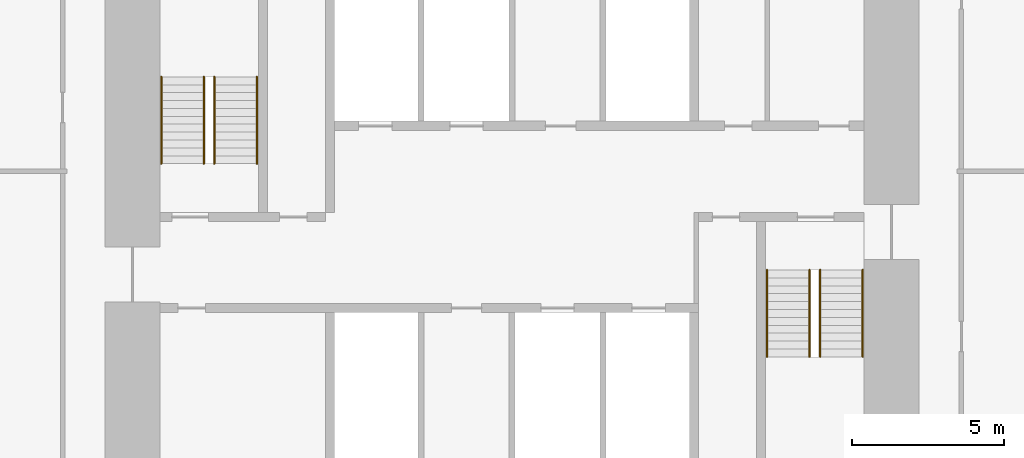
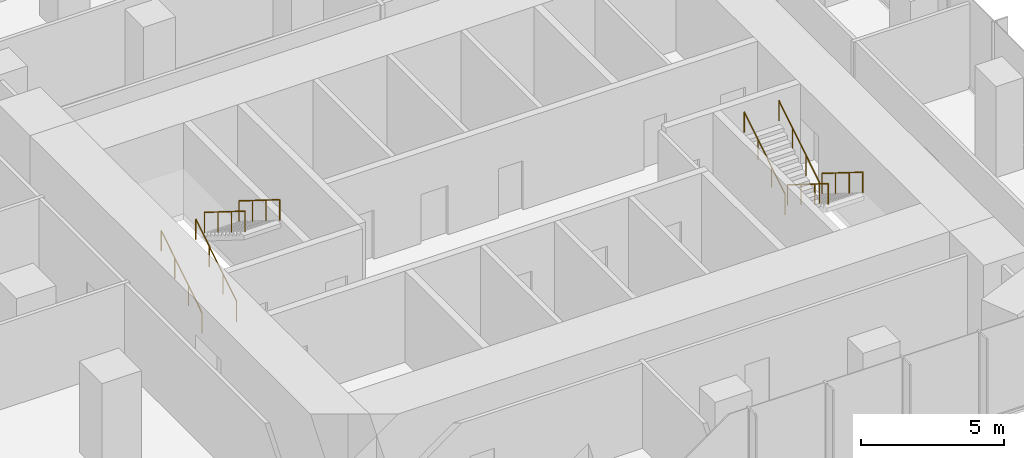
# One storey, part 11 of 11: 8 railings.
"""IFC4 building model written with IfcOpenShell, lengths in metres."""

import ifcopenshell
import ifcopenshell.guid

model = None  # the IFC model being written
_history = None  # IfcOwnerHistory: only IFC2X3 demands one
_inside = {}  # id of a spatial element -> (the spatial element, [elements in it])
_under = {}  # id of a project, library or spatial element -> (it, [spatial elements below it])
_declared = {}  # id of a project -> (the project, [libraries it declares])
_typed = {}  # id of a type object -> (the type object, [elements of that type])
_made_of = {}  # id of a material, layer set ... -> (it, [elements and type objects made of it])


def new_model(schema):
    """Start an empty IFC model of exactly this schema.

    Asked for "IFC4X3", IfcOpenShell would pick the latest addendum, in which some entities
    have other attributes; the version numbers below select the first issue.
    IFC2X3 requires an IfcOwnerHistory on every rooted entity: one is made here for all.
    """
    global model, _history
    if schema == "IFC4X3":
        model = ifcopenshell.file(schema_version=(4, 3, 0, 0))
    else:
        model = ifcopenshell.file(schema=schema)
    _inside.clear()
    _under.clear()
    _declared.clear()
    _typed.clear()
    _made_of.clear()
    _history = None
    if model.schema == "IFC2X3":
        org = make("IfcOrganization", Name="unknown")
        user = make(
            "IfcPersonAndOrganization",
            ThePerson=make("IfcPerson", FamilyName="unknown"),
            TheOrganization=org,
        )
        app = make(
            "IfcApplication",
            ApplicationDeveloper=org,
            Version="unknown",
            ApplicationFullName="unknown",
            ApplicationIdentifier="unknown",
        )
        _history = make(
            "IfcOwnerHistory",
            OwningUser=user,
            OwningApplication=app,
            ChangeAction="ADDED",
            CreationDate=0,
        )
    return model


def make(cls, **values):
    """One entity of the class cls with the attributes given. An attribute that is None is left unset."""
    return model.create_entity(
        cls, **{name: value for name, value in values.items() if value is not None}
    )


def rooted(cls, **values):
    """An entity with a GlobalId (a new one), such as an element, a storey or a relation."""
    return make(cls, GlobalId=ifcopenshell.guid.new(), OwnerHistory=_history, **values)


def si_unit(unit_type, name, prefix=None):
    """IfcSIUnit, for example si_unit("LENGTHUNIT", "METRE", prefix="MILLI")."""
    return make("IfcSIUnit", UnitType=unit_type, Prefix=prefix, Name=name)


def assignment(units):
    """IfcUnitAssignment: the units of a project."""
    return None if units is None else make("IfcUnitAssignment", Units=units)


def point(xyz):
    """IfcCartesianPoint."""
    return None if xyz is None else make("IfcCartesianPoint", Coordinates=xyz)


def direction(xyz):
    """IfcDirection."""
    return None if xyz is None else make("IfcDirection", DirectionRatios=xyz)


def frame(location, z_axis=None, x_axis=None):
    """IfcAxis2Placement3D, a coordinate frame: its origin and axes. An axis left out is left unset."""
    return make(
        "IfcAxis2Placement3D",
        Location=point(location),
        Axis=direction(z_axis),
        RefDirection=direction(x_axis),
    )


def frame_2d(location, x_axis=None):
    """IfcAxis2Placement2D, a coordinate frame in the plane: its origin and x axis."""
    return make(
        "IfcAxis2Placement2D", Location=point(location), RefDirection=direction(x_axis)
    )


def origin():
    """The frame at (0, 0, 0) with its axes left unset."""
    return frame((0.0, 0.0, 0.0))


def origin_2d():
    """The frame at (0, 0) in the plane with its x axis left unset."""
    return frame_2d((0.0, 0.0))


def place(relative_to, where):
    """IfcLocalPlacement: puts the frame where relative to a parent placement (None: the world)."""
    return make(
        "IfcLocalPlacement", PlacementRelTo=relative_to, RelativePlacement=where
    )


def context(
    kind, dimensions, precision=None, world=None, true_north=None, identifier=None
):
    """IfcGeometricRepresentationContext, for example the 3D "Model" context."""
    return make(
        "IfcGeometricRepresentationContext",
        ContextIdentifier=identifier,
        ContextType=kind,
        CoordinateSpaceDimension=dimensions,
        Precision=precision,
        WorldCoordinateSystem=world,
        TrueNorth=true_north,
    )


def subcontext(parent, identifier, kind, view, scale=None):
    """IfcGeometricRepresentationSubContext, for example "Body" below "Model"."""
    return make(
        "IfcGeometricRepresentationSubContext",
        ContextIdentifier=identifier,
        ContextType=kind,
        ParentContext=parent,
        TargetScale=scale,
        TargetView=view,
    )


def project(units=None, contexts=None):
    """IfcProject with its units and contexts."""
    return rooted(
        "IfcProject",
        Name="project",
        RepresentationContexts=contexts,
        UnitsInContext=assignment(units),
    )


def spatial(cls, under=None, at=None, **own):
    """A site, building, storey or space (cls), placed at a placement, below another one or the project."""
    s = rooted(cls, ObjectPlacement=at, **own)
    if under is not None:
        _under.setdefault(under.id(), (under, []))[1].append(s)
    return s


def profile(cls, at=None, kind="AREA", **sizes):
    """A parametric profile (cls). Its sizes go by their IFC names, for example OverallWidth=200.0."""
    return make(cls, ProfileType=kind, Position=at, **sizes)


def circle(**sizes):
    """IfcCircleProfileDef."""
    return profile("IfcCircleProfileDef", **sizes)


def extrude(swept, where, along, depth):
    """IfcExtrudedAreaSolid: the profile swept, set in the frame where, extruded along a direction by depth."""
    return make(
        "IfcExtrudedAreaSolid",
        SweptArea=swept,
        Position=where,
        ExtrudedDirection=direction(along),
        Depth=depth,
    )


def shape(context_of_items, identifier, shape_type, items):
    """IfcShapeRepresentation: the items that make up one representation, for example the "Body"."""
    return make(
        "IfcShapeRepresentation",
        ContextOfItems=context_of_items,
        RepresentationIdentifier=identifier,
        RepresentationType=shape_type,
        Items=items,
    )


def material(Name=None, Category=None):
    """IfcMaterial."""
    return make("IfcMaterial", Name=Name, Category=Category)


def made_of(thing, what):
    """Note that an element or type object is made of a material, layer set ...; save() writes the relation."""
    if what is not None:
        _made_of.setdefault(what.id(), (what, []))[1].append(thing)
    return thing


def type_object(cls, material=None, **own):
    """A type object (cls), such as IfcWallType, which elements share."""
    return made_of(rooted(cls, **own), material)


def element(
    cls,
    number,
    at=None,
    inside=None,
    cuts=None,
    type_object=None,
    material=None,
    context=None,
    identifier="Body",
    shape_type=None,
    held_by="IfcProductDefinitionShape",
    body=None,
    shapes=None,
    **own,
):
    """One element of the class cls, such as IfcWall. Its Tag is "e" and its number.

    at: its placement. inside: the storey or other place that contains it. cuts: it is an
    opening in that element (IfcRelVoidsElement). A single representation is given by context,
    identifier, shape_type and body (its items); several are given by shapes. held_by: the class
    of the entity that holds the representations. save() writes the other relations.
    """
    e = rooted(cls, Tag="e%d" % number, ObjectPlacement=at, **own)
    if body is not None:
        shapes = [shape(context, identifier, shape_type, body)]
    if shapes is not None:
        e.Representation = make(held_by, Representations=shapes)
    if inside is not None:
        _inside.setdefault(inside.id(), (inside, []))[1].append(e)
    if cuts is not None:
        rooted(
            "IfcRelVoidsElement", RelatingBuildingElement=cuts, RelatedOpeningElement=e
        )
    if type_object is not None:
        _typed.setdefault(type_object.id(), (type_object, []))[1].append(e)
    return made_of(e, material)


def aggregate(whole, parts):
    """IfcRelAggregates: a whole, such as a stair, and the parts it consists of."""
    return rooted("IfcRelAggregates", RelatingObject=whole, RelatedObjects=parts)


def save(model, path):
    """Write the relations noted so far, then the file.

    IfcRelAggregates (storeys below a building ...), IfcRelContainedInSpatialStructure (elements
    in a storey), IfcRelDefinesByType, IfcRelAssociatesMaterial and IfcRelDeclares: one each for
    every whole, place, type object, material and project.
    """
    for whole, parts in _under.values():
        aggregate(whole, parts)
    for where, things in _inside.values():
        rooted(
            "IfcRelContainedInSpatialStructure",
            RelatedElements=things,
            RelatingStructure=where,
        )
    for kind, things in _typed.values():
        rooted("IfcRelDefinesByType", RelatedObjects=things, RelatingType=kind)
    for what, things in _made_of.values():
        rooted("IfcRelAssociatesMaterial", RelatedObjects=things, RelatingMaterial=what)
    for by, libraries in _declared.values():
        rooted("IfcRelDeclares", RelatingContext=by, RelatedDefinitions=libraries)
    model.write(path)


model = new_model("IFC4")

# Units and contexts
model_context = context("Model", 3, precision=1e-05, world=origin(), true_north=direction((0.0, 1.0)))
body_context = subcontext(model_context, "Body", "Model", "MODEL_VIEW")
ifc_project = project(units=[si_unit("LENGTHUNIT", "METRE"), si_unit("AREAUNIT", "SQUARE_METRE"), si_unit("VOLUMEUNIT", "CUBIC_METRE"), si_unit("PLANEANGLEUNIT", "RADIAN"), si_unit("MASSUNIT", "GRAM", prefix="KILO")], contexts=[model_context])

# Site, building, storey
site_placement = place(None, origin())
site = spatial("IfcSite", under=ifc_project, at=site_placement, CompositionType="ELEMENT")
building_placement = place(site_placement, origin())
building = spatial("IfcBuilding", under=site, at=building_placement, Name="Highveld Stack Headquarters", CompositionType="ELEMENT")
storey_placement = place(building_placement, frame((0.0, 0.0, 192.800048828125)))
storey = spatial("IfcBuildingStorey", under=building, at=storey_placement, Name="L47", CompositionType="ELEMENT", Elevation=192.800048828125)

# Railings
ifc_material = material(Name="Stainless steel handrail", Category="steel")
railing_type = type_object("IfcRailingType", Name="STAIR HANDRAIL HR1 900", PredefinedType="HANDRAIL", material=ifc_material)
for number, where, name in (
    (1, (-5.550048828125, 4.75, 0.162353515625), "Handrail S1 L47 flight 1"),
    (2, (-4.14990234375, 4.75, 0.162353515625), "Handrail S1 L47 flight 1"),
):
    element("IfcRailing", number, at=place(storey_placement, frame(where)), inside=storey, type_object=railing_type, Name=name, PredefinedType="HANDRAIL", context=body_context, shape_type="SweptSolid", body=[
        extrude(circle(Radius=0.02392578125, at=origin_2d()), frame((0.0, 0.0, 0.8759765625), z_axis=(0.0, 0.847994237388, 0.530005446535), x_axis=(-1.0, 0.0, 0.0)), (0.0, 0.0, 1.0), 3.372802734375),
        extrude(circle(Radius=0.02099609375, at=origin_2d()), origin(), (0.0, 0.0, 1.0), 0.851806640625),
        extrude(circle(Radius=0.02099609375, at=origin_2d()), frame((0.0, 0.953369140625, 0.595947265625)), (0.0, 0.0, 1.0), 0.851806640625),
        extrude(circle(Radius=0.02099609375, at=origin_2d()), frame((0.0, 1.90673828125, 1.191650390625)), (0.0, 0.0, 1.0), 0.851806640625),
        extrude(circle(Radius=0.02099609375, at=origin_2d()), frame((0.0, 2.860107421875, 1.78759765625)), (0.0, 0.0, 1.0), 0.851806640625),
    ])
for number, where, name in (
    (3, (-3.800048828125, 7.610107421875, 2.112548828125), "Handrail S1 L47 flight 2"),
    (4, (-2.39990234375, 7.610107421875, 2.112548828125), "Handrail S1 L47 flight 2"),
):
    element("IfcRailing", number, at=place(storey_placement, frame(where)), inside=storey, type_object=railing_type, Name=name, PredefinedType="HANDRAIL", context=body_context, shape_type="SweptSolid", body=[
        extrude(circle(Radius=0.02392578125, at=origin_2d()), frame((0.0, 0.0, 0.8759765625), z_axis=(0.0, -0.848026770018, 0.529953391661), x_axis=(1.0, 0.0, 0.0)), (0.0, 0.0, 1.0), 3.37255859375),
        extrude(circle(Radius=0.02099609375, at=origin_2d()), origin(), (0.0, 0.0, 1.0), 0.851806640625),
        extrude(circle(Radius=0.02099609375, at=origin_2d()), frame((0.0, -0.953369140625, 0.595703125)), (0.0, 0.0, 1.0), 0.851806640625),
        extrude(circle(Radius=0.02099609375, at=origin_2d()), frame((0.0, -1.90673828125, 1.191650390625)), (0.0, 0.0, 1.0), 0.851806640625),
        extrude(circle(Radius=0.02099609375, at=origin_2d()), frame((0.0, -2.860107421875, 1.787353515625)), (0.0, 0.0, 1.0), 0.851806640625),
    ])
for number, where, name in (
    (5, (16.14990234375, 1.25, 0.162353515625), "Handrail S2 L47 flight 1"),
    (6, (17.550048828125, 1.25, 0.162353515625), "Handrail S2 L47 flight 1"),
):
    element("IfcRailing", number, at=place(storey_placement, frame(where)), inside=storey, type_object=railing_type, Name=name, PredefinedType="HANDRAIL", context=body_context, shape_type="SweptSolid", body=[
        extrude(circle(Radius=0.02392578125, at=origin_2d()), frame((0.0, 0.0, 0.8759765625), z_axis=(0.0, -0.847994237388, 0.530005446535), x_axis=(1.0, 0.0, 0.0)), (0.0, 0.0, 1.0), 3.372802734375),
        extrude(circle(Radius=0.02099609375, at=origin_2d()), origin(), (0.0, 0.0, 1.0), 0.851806640625),
        extrude(circle(Radius=0.02099609375, at=origin_2d()), frame((0.0, -0.953369140625, 0.595947265625)), (0.0, 0.0, 1.0), 0.851806640625),
        extrude(circle(Radius=0.02099609375, at=origin_2d()), frame((0.0, -1.90673828125, 1.191650390625)), (0.0, 0.0, 1.0), 0.851806640625),
        extrude(circle(Radius=0.02099609375, at=origin_2d()), frame((0.0, -2.860107421875, 1.78759765625)), (0.0, 0.0, 1.0), 0.851806640625),
    ])
for number, where, name in (
    (7, (14.39990234375, -1.610107421875, 2.112548828125), "Handrail S2 L47 flight 2"),
    (8, (15.800048828125, -1.610107421875, 2.112548828125), "Handrail S2 L47 flight 2"),
):
    element("IfcRailing", number, at=place(storey_placement, frame(where)), inside=storey, type_object=railing_type, Name=name, PredefinedType="HANDRAIL", context=body_context, shape_type="SweptSolid", body=[
        extrude(circle(Radius=0.02392578125, at=origin_2d()), frame((0.0, 0.0, 0.8759765625), z_axis=(0.0, 0.848026770018, 0.529953391661), x_axis=(-1.0, 0.0, 0.0)), (0.0, 0.0, 1.0), 3.37255859375),
        extrude(circle(Radius=0.02099609375, at=origin_2d()), origin(), (0.0, 0.0, 1.0), 0.851806640625),
        extrude(circle(Radius=0.02099609375, at=origin_2d()), frame((0.0, 0.953369140625, 0.595703125)), (0.0, 0.0, 1.0), 0.851806640625),
        extrude(circle(Radius=0.02099609375, at=origin_2d()), frame((0.0, 1.90673828125, 1.191650390625)), (0.0, 0.0, 1.0), 0.851806640625),
        extrude(circle(Radius=0.02099609375, at=origin_2d()), frame((0.0, 2.860107421875, 1.787353515625)), (0.0, 0.0, 1.0), 0.851806640625),
    ])

save(model, "model.ifc")
